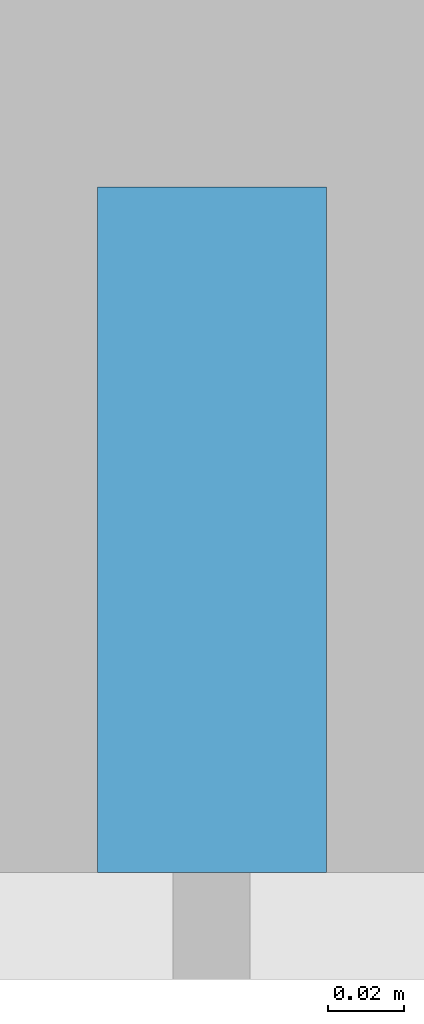
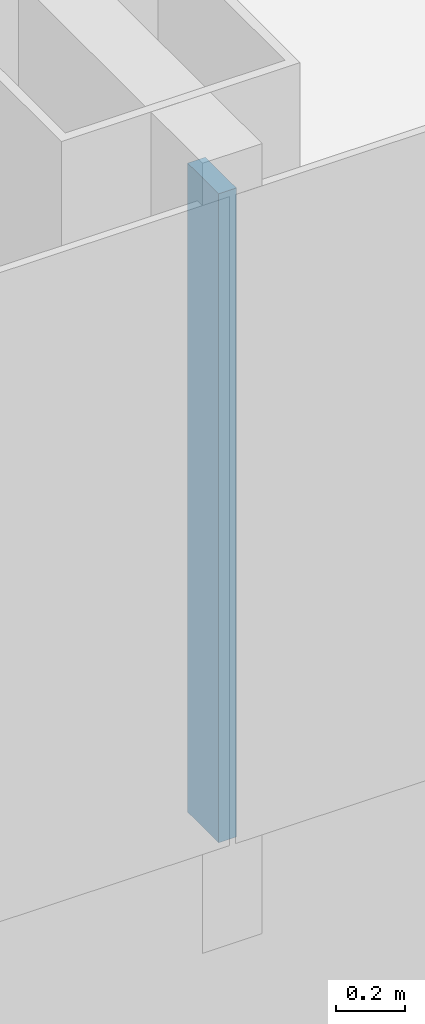
# One storey, part 4 of 29: 1 member, 1 element without a shape of its own.
"""IFC4 building model written with IfcOpenShell, lengths in metres."""

from ifc_helpers import new_model, si_unit, direction, frame, origin, origin_2d, place, context, subcontext, project, spatial, rectangle, extrude, material, layer, layer_set, material_profile, profile_set, type_object, element, aggregate, save


model = new_model("IFC4")

# Units and contexts
model_context = context("Model", 3, precision=1e-05, world=origin(), true_north=direction((0.0, 1.0)))
body_context = subcontext(model_context, "Body", "Model", "MODEL_VIEW")
ifc_project = project(units=[si_unit("LENGTHUNIT", "METRE"), si_unit("AREAUNIT", "SQUARE_METRE"), si_unit("VOLUMEUNIT", "CUBIC_METRE"), si_unit("PLANEANGLEUNIT", "RADIAN"), si_unit("MASSUNIT", "GRAM", prefix="KILO")], contexts=[model_context])

# Site, building, storey
site_placement = place(None, origin())
site = spatial("IfcSite", under=ifc_project, at=site_placement, CompositionType="ELEMENT")
building_placement = place(site_placement, origin())
building = spatial("IfcBuilding", under=site, at=building_placement, Name="Hakoniwa Tower and Hamabe Station Hall", CompositionType="ELEMENT")
storey_placement = place(building_placement, frame((0.0, 0.0, 75.39990234375)))
storey = spatial("IfcBuildingStorey", under=building, at=storey_placement, Name="L20", CompositionType="ELEMENT", Elevation=75.39990234375)

# Curtain wall, member
ifc_material_1 = material(Name="Dark low-e laminated glass", Category="glass")
ifc_layer = layer(ifc_material_1, 0.199951171875)
ifc_layer_set = layer_set([ifc_layer], Name="CW-1 UNITISED GUEST")
curtain_wall_type = type_object("IfcCurtainWallType", Name="CW-1 UNITISED GUEST", PredefinedType="NOTDEFINED", material=ifc_layer_set)
curtain_wall_placement = place(storey_placement, origin())
curtain_wall = element("IfcCurtainWall", 1, at=curtain_wall_placement, inside=storey, type_object=curtain_wall_type, Name="CW-1 curtain wall", PredefinedType="NOTDEFINED")
ifc_material_2 = material(Name="Aluminium 6063-T5 black anodised", Category="aluminium")
ifc_material_profile = material_profile(ifc_material_2, rectangle(XDim=0.06005859375, YDim=0.179931640625, at=origin_2d()), Name="CW-1 MULLION 60X180")
ifc_profile_set = profile_set([ifc_material_profile], Name="Aluminium 6063-T5 black anodised")
member_type = type_object("IfcMemberType", Name="CW-1 MULLION 60X180", PredefinedType="MULLION", material=ifc_profile_set)
member_placement = place(storey_placement, frame((-8.39990234375, -15.431884765625, 0.35009765625), z_axis=(0.0, 0.0, 1.0), x_axis=(1.0, 0.0, 0.0)))
member = element("IfcMember", 2, at=member_placement, type_object=member_type, Name="CW-1 mullion", PredefinedType="MULLION", context=body_context, shape_type="SweptSolid", body=[
    extrude(rectangle(XDim=0.06005859375, YDim=0.179931640625, at=origin_2d()), origin(), (0.0, 0.0, 1.0), 2.300048828125),
])
aggregate(curtain_wall, [member])

save(model, "model.ifc")
